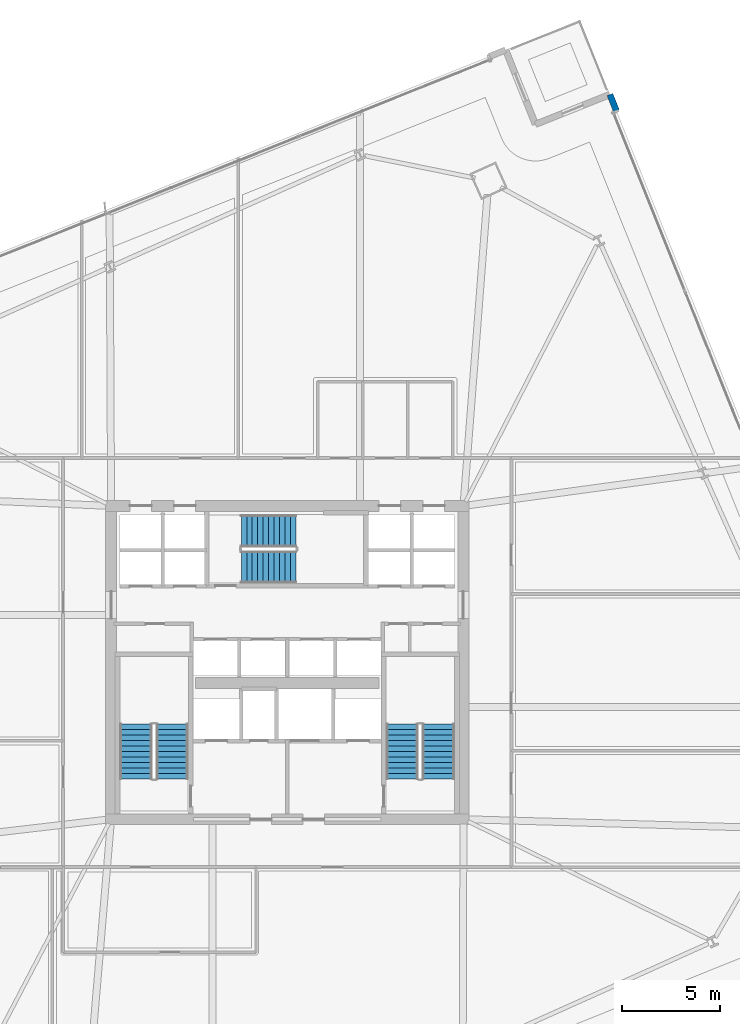
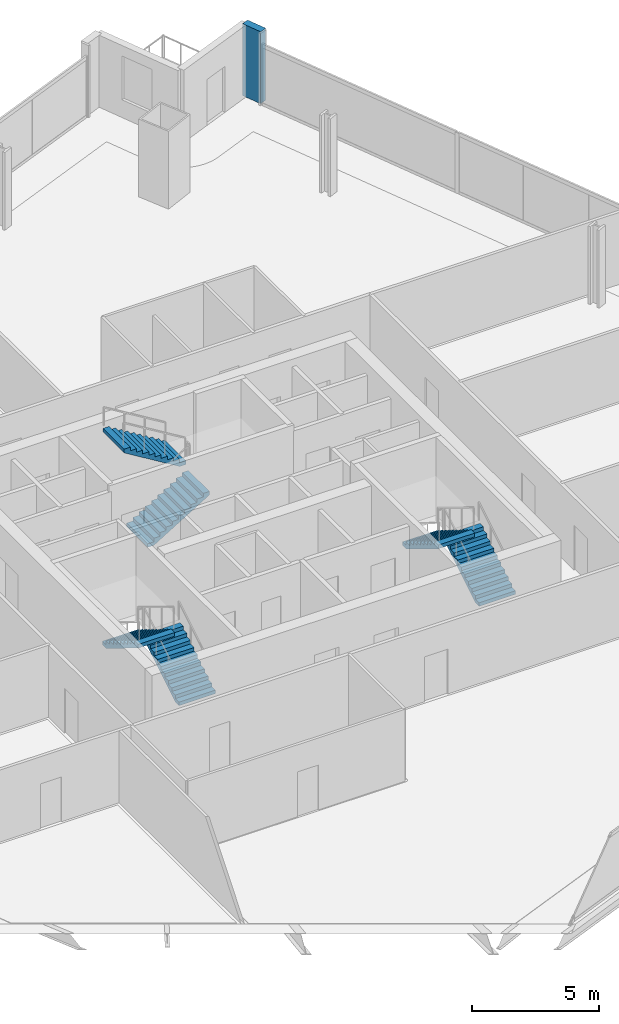
# One storey, part 27 of 33: 6 stair flights, 1 wall, 3 elements without a shape of their own.
"""IFC4 building model written with IfcOpenShell, lengths in metres."""

import ifcopenshell
import ifcopenshell.guid

model = None  # the IFC model being written
_history = None  # IfcOwnerHistory: only IFC2X3 demands one
_inside = {}  # id of a spatial element -> (the spatial element, [elements in it])
_under = {}  # id of a project, library or spatial element -> (it, [spatial elements below it])
_declared = {}  # id of a project -> (the project, [libraries it declares])
_typed = {}  # id of a type object -> (the type object, [elements of that type])
_made_of = {}  # id of a material, layer set ... -> (it, [elements and type objects made of it])


def new_model(schema):
    """Start an empty IFC model of exactly this schema.

    Asked for "IFC4X3", IfcOpenShell would pick the latest addendum, in which some entities
    have other attributes; the version numbers below select the first issue.
    IFC2X3 requires an IfcOwnerHistory on every rooted entity: one is made here for all.
    """
    global model, _history
    if schema == "IFC4X3":
        model = ifcopenshell.file(schema_version=(4, 3, 0, 0))
    else:
        model = ifcopenshell.file(schema=schema)
    _inside.clear()
    _under.clear()
    _declared.clear()
    _typed.clear()
    _made_of.clear()
    _history = None
    if model.schema == "IFC2X3":
        org = make("IfcOrganization", Name="unknown")
        user = make(
            "IfcPersonAndOrganization",
            ThePerson=make("IfcPerson", FamilyName="unknown"),
            TheOrganization=org,
        )
        app = make(
            "IfcApplication",
            ApplicationDeveloper=org,
            Version="unknown",
            ApplicationFullName="unknown",
            ApplicationIdentifier="unknown",
        )
        _history = make(
            "IfcOwnerHistory",
            OwningUser=user,
            OwningApplication=app,
            ChangeAction="ADDED",
            CreationDate=0,
        )
    return model


def make(cls, **values):
    """One entity of the class cls with the attributes given. An attribute that is None is left unset."""
    return model.create_entity(
        cls, **{name: value for name, value in values.items() if value is not None}
    )


def rooted(cls, **values):
    """An entity with a GlobalId (a new one), such as an element, a storey or a relation."""
    return make(cls, GlobalId=ifcopenshell.guid.new(), OwnerHistory=_history, **values)


def si_unit(unit_type, name, prefix=None):
    """IfcSIUnit, for example si_unit("LENGTHUNIT", "METRE", prefix="MILLI")."""
    return make("IfcSIUnit", UnitType=unit_type, Prefix=prefix, Name=name)


def assignment(units):
    """IfcUnitAssignment: the units of a project."""
    return None if units is None else make("IfcUnitAssignment", Units=units)


def point(xyz):
    """IfcCartesianPoint."""
    return None if xyz is None else make("IfcCartesianPoint", Coordinates=xyz)


def direction(xyz):
    """IfcDirection."""
    return None if xyz is None else make("IfcDirection", DirectionRatios=xyz)


def frame(location, z_axis=None, x_axis=None):
    """IfcAxis2Placement3D, a coordinate frame: its origin and axes. An axis left out is left unset."""
    return make(
        "IfcAxis2Placement3D",
        Location=point(location),
        Axis=direction(z_axis),
        RefDirection=direction(x_axis),
    )


def frame_2d(location, x_axis=None):
    """IfcAxis2Placement2D, a coordinate frame in the plane: its origin and x axis."""
    return make(
        "IfcAxis2Placement2D", Location=point(location), RefDirection=direction(x_axis)
    )


def origin():
    """The frame at (0, 0, 0) with its axes left unset."""
    return frame((0.0, 0.0, 0.0))


def place(relative_to, where):
    """IfcLocalPlacement: puts the frame where relative to a parent placement (None: the world)."""
    return make(
        "IfcLocalPlacement", PlacementRelTo=relative_to, RelativePlacement=where
    )


def context(
    kind, dimensions, precision=None, world=None, true_north=None, identifier=None
):
    """IfcGeometricRepresentationContext, for example the 3D "Model" context."""
    return make(
        "IfcGeometricRepresentationContext",
        ContextIdentifier=identifier,
        ContextType=kind,
        CoordinateSpaceDimension=dimensions,
        Precision=precision,
        WorldCoordinateSystem=world,
        TrueNorth=true_north,
    )


def subcontext(parent, identifier, kind, view, scale=None):
    """IfcGeometricRepresentationSubContext, for example "Body" below "Model"."""
    return make(
        "IfcGeometricRepresentationSubContext",
        ContextIdentifier=identifier,
        ContextType=kind,
        ParentContext=parent,
        TargetScale=scale,
        TargetView=view,
    )


def project(units=None, contexts=None):
    """IfcProject with its units and contexts."""
    return rooted(
        "IfcProject",
        Name="project",
        RepresentationContexts=contexts,
        UnitsInContext=assignment(units),
    )


def spatial(cls, under=None, at=None, **own):
    """A site, building, storey or space (cls), placed at a placement, below another one or the project."""
    s = rooted(cls, ObjectPlacement=at, **own)
    if under is not None:
        _under.setdefault(under.id(), (under, []))[1].append(s)
    return s


def polyline(points):
    """IfcPolyline through the points."""
    return make("IfcPolyline", Points=[point(p) for p in points])


def profile(cls, at=None, kind="AREA", **sizes):
    """A parametric profile (cls). Its sizes go by their IFC names, for example OverallWidth=200.0."""
    return make(cls, ProfileType=kind, Position=at, **sizes)


def rectangle(**sizes):
    """IfcRectangleProfileDef."""
    return profile("IfcRectangleProfileDef", **sizes)


def outline(outer, holes=None, kind="AREA"):
    """IfcArbitraryClosedProfileDef: a profile drawn as a closed curve; with holes, ...WithVoids."""
    if holes is None:
        return make("IfcArbitraryClosedProfileDef", ProfileType=kind, OuterCurve=outer)
    return make(
        "IfcArbitraryProfileDefWithVoids",
        ProfileType=kind,
        OuterCurve=outer,
        InnerCurves=holes,
    )


def extrude(swept, where, along, depth):
    """IfcExtrudedAreaSolid: the profile swept, set in the frame where, extruded along a direction by depth."""
    return make(
        "IfcExtrudedAreaSolid",
        SweptArea=swept,
        Position=where,
        ExtrudedDirection=direction(along),
        Depth=depth,
    )


def shape(context_of_items, identifier, shape_type, items):
    """IfcShapeRepresentation: the items that make up one representation, for example the "Body"."""
    return make(
        "IfcShapeRepresentation",
        ContextOfItems=context_of_items,
        RepresentationIdentifier=identifier,
        RepresentationType=shape_type,
        Items=items,
    )


def material(Name=None, Category=None):
    """IfcMaterial."""
    return make("IfcMaterial", Name=Name, Category=Category)


def layer(
    of_material, thickness, ventilated=None, Name=None, Category=None, Priority=None
):
    """IfcMaterialLayer: one layer of a wall or slab, of a material (None: an air gap)."""
    return make(
        "IfcMaterialLayer",
        Material=of_material,
        LayerThickness=thickness,
        IsVentilated=ventilated,
        Name=Name,
        Category=Category,
        Priority=Priority,
    )


def layer_set(layers, Name=None):
    """IfcMaterialLayerSet."""
    return make("IfcMaterialLayerSet", MaterialLayers=layers, LayerSetName=Name)


def made_of(thing, what):
    """Note that an element or type object is made of a material, layer set ...; save() writes the relation."""
    if what is not None:
        _made_of.setdefault(what.id(), (what, []))[1].append(thing)
    return thing


def type_object(cls, material=None, **own):
    """A type object (cls), such as IfcWallType, which elements share."""
    return made_of(rooted(cls, **own), material)


def element(
    cls,
    number,
    at=None,
    inside=None,
    cuts=None,
    type_object=None,
    material=None,
    context=None,
    identifier="Body",
    shape_type=None,
    held_by="IfcProductDefinitionShape",
    body=None,
    shapes=None,
    **own,
):
    """One element of the class cls, such as IfcWall. Its Tag is "e" and its number.

    at: its placement. inside: the storey or other place that contains it. cuts: it is an
    opening in that element (IfcRelVoidsElement). A single representation is given by context,
    identifier, shape_type and body (its items); several are given by shapes. held_by: the class
    of the entity that holds the representations. save() writes the other relations.
    """
    e = rooted(cls, Tag="e%d" % number, ObjectPlacement=at, **own)
    if body is not None:
        shapes = [shape(context, identifier, shape_type, body)]
    if shapes is not None:
        e.Representation = make(held_by, Representations=shapes)
    if inside is not None:
        _inside.setdefault(inside.id(), (inside, []))[1].append(e)
    if cuts is not None:
        rooted(
            "IfcRelVoidsElement", RelatingBuildingElement=cuts, RelatedOpeningElement=e
        )
    if type_object is not None:
        _typed.setdefault(type_object.id(), (type_object, []))[1].append(e)
    return made_of(e, material)


def aggregate(whole, parts):
    """IfcRelAggregates: a whole, such as a stair, and the parts it consists of."""
    return rooted("IfcRelAggregates", RelatingObject=whole, RelatedObjects=parts)


def save(model, path):
    """Write the relations noted so far, then the file.

    IfcRelAggregates (storeys below a building ...), IfcRelContainedInSpatialStructure (elements
    in a storey), IfcRelDefinesByType, IfcRelAssociatesMaterial and IfcRelDeclares: one each for
    every whole, place, type object, material and project.
    """
    for whole, parts in _under.values():
        aggregate(whole, parts)
    for where, things in _inside.values():
        rooted(
            "IfcRelContainedInSpatialStructure",
            RelatedElements=things,
            RelatingStructure=where,
        )
    for kind, things in _typed.values():
        rooted("IfcRelDefinesByType", RelatedObjects=things, RelatingType=kind)
    for what, things in _made_of.values():
        rooted("IfcRelAssociatesMaterial", RelatedObjects=things, RelatingMaterial=what)
    for by, libraries in _declared.values():
        rooted("IfcRelDeclares", RelatingContext=by, RelatedDefinitions=libraries)
    model.write(path)


model = new_model("IFC4")

# Units and contexts
model_context = context("Model", 3, precision=1e-05, world=origin(), true_north=direction((0.0, 1.0)))
body_context = subcontext(model_context, "Body", "Model", "MODEL_VIEW")
ifc_project = project(units=[si_unit("LENGTHUNIT", "METRE"), si_unit("AREAUNIT", "SQUARE_METRE"), si_unit("VOLUMEUNIT", "CUBIC_METRE"), si_unit("PLANEANGLEUNIT", "RADIAN"), si_unit("MASSUNIT", "GRAM", prefix="KILO")], contexts=[model_context])

# Site, building, storey
site_placement = place(None, origin())
site = spatial("IfcSite", under=ifc_project, at=site_placement, CompositionType="ELEMENT")
building_placement = place(site_placement, origin())
building = spatial("IfcBuilding", under=site, at=building_placement, Name="Haldenkirk Collegiate Tower", CompositionType="ELEMENT")
storey_placement = place(building_placement, frame((0.0, 0.0, 101.699951171875)))
storey = spatial("IfcBuildingStorey", under=building, at=storey_placement, Name="L24", CompositionType="ELEMENT", Elevation=101.699951171875)

# Wall
ifc_material_1 = material(Name="Precast concrete f'c 40 MPa", Category="concrete")
ifc_layer = layer(ifc_material_1, 0.320068359375)
ifc_layer_set = layer_set([ifc_layer], Name="Precast concrete f'c 40 MPa")
wall_type = type_object("IfcWallType", Name="WL-EXT-TWR-320", PredefinedType="STANDARD", material=ifc_layer_set)
wall_placement = place(storey_placement, frame((52.483642578125, 55.01953125, 0.0), z_axis=(0.0, 0.0, 1.0), x_axis=(0.372232509314, -0.928139514841, 0.0)))
element("IfcWall", 1, at=wall_placement, inside=storey, type_object=wall_type, Name="L24 precast corner pier EL", PredefinedType="STANDARD", context=body_context, shape_type="SweptSolid", body=[
    extrude(rectangle(XDim=0.89990234375, YDim=0.320068359375, at=frame_2d((0.449951171875, 0.0))), origin(), (0.0, 0.0, 1.0), 3.449951171875),
])

# Stair, stair flights
ifc_material_2 = material(Name="Concrete f'c 40 MPa", Category="concrete")
stair_type = type_object("IfcStairType", Name="STR-DOGLEG-1650", PredefinedType="HALF_TURN_STAIR", material=ifc_material_2)
stair_1_placement = place(storey_placement, origin())
stair_1 = element("IfcStair", 2, at=stair_1_placement, inside=storey, type_object=stair_type, Name="L24 Core Exit Stair ST-1", PredefinedType="HALF_TURN_STAIR")
stair_flight_type = type_object("IfcStairFlightType", Name="STF-FLIGHT-1650", PredefinedType="STRAIGHT", material=ifc_material_2)
stair_flight_1_placement = place(storey_placement, frame((30.125, 20.050048828125, 0.0), z_axis=(0.0, 0.0, 1.0), x_axis=(0.0, 1.0, 0.0)))
stair_flight_1 = element("IfcStairFlight", 3, at=stair_flight_1_placement, type_object=stair_flight_type, Name="ST-1 flight 1", NumberOfRisers=11, NumberOfTreads=10, PredefinedType="STRAIGHT", RiserHeight=0.170454545, TreadLength=0.28, context=body_context, shape_type="SweptSolid", body=[
    extrude(outline(polyline([(0.0, 0.0), (0.0, 0.17041015625), (0.280029296875, 0.17041015625), (0.280029296875, 0.3408203125), (0.56005859375, 0.3408203125), (0.56005859375, 0.511474609375), (0.840087890625, 0.511474609375), (0.840087890625, 0.681884765625), (1.1201171875, 0.681884765625), (1.1201171875, 0.852294921875), (1.39990234375, 0.852294921875), (1.39990234375, 1.022705078125), (1.679931640625, 1.022705078125), (1.679931640625, 1.193115234375), (1.9599609375, 1.193115234375), (1.9599609375, 1.363525390625), (2.239990234375, 1.363525390625), (2.239990234375, 1.5341796875), (2.52001953125, 1.5341796875), (2.52001953125, 1.70458984375), (2.800048828125, 1.70458984375), (2.800048828125, 1.875), (2.800048828125, 1.529052734375), (0.288330078125, 0.0), (0.0, 0.0)])), frame((0.0, 0.824951171875, 0.0), z_axis=(0.0, -1.0, 0.0), x_axis=(1.0, 0.0, 0.0)), (0.0, 0.0, 1.0), 1.64990234375),
])
stair_flight_2_placement = place(storey_placement, frame((28.27490234375, 22.85009765625, 1.875), z_axis=(0.0, 0.0, 1.0), x_axis=(0.0, -1.0, 0.0)))
stair_flight_2 = element("IfcStairFlight", 4, at=stair_flight_2_placement, type_object=stair_flight_type, Name="ST-1 flight 2", NumberOfRisers=11, NumberOfTreads=10, PredefinedType="STRAIGHT", RiserHeight=0.170454545, TreadLength=0.28, context=body_context, shape_type="SweptSolid", body=[
    extrude(outline(polyline([(0.0, 0.0), (0.0, 0.17041015625), (0.280029296875, 0.17041015625), (0.280029296875, 0.3408203125), (0.56005859375, 0.3408203125), (0.56005859375, 0.511474609375), (0.840087890625, 0.511474609375), (0.840087890625, 0.681884765625), (1.1201171875, 0.681884765625), (1.1201171875, 0.852294921875), (1.39990234375, 0.852294921875), (1.39990234375, 1.022705078125), (1.679931640625, 1.022705078125), (1.679931640625, 1.193115234375), (1.9599609375, 1.193115234375), (1.9599609375, 1.363525390625), (2.239990234375, 1.363525390625), (2.239990234375, 1.5341796875), (2.52001953125, 1.5341796875), (2.52001953125, 1.70458984375), (2.800048828125, 1.70458984375), (2.800048828125, 1.875), (2.800048828125, 1.529052734375), (0.288330078125, 0.0), (0.0, 0.0)])), frame((0.0, 0.824951171875, 0.0), z_axis=(0.0, -1.0, 0.0), x_axis=(1.0, 0.0, 0.0)), (0.0, 0.0, 1.0), 1.64990234375),
])
aggregate(stair_1, [stair_flight_1, stair_flight_2])

stair_2_placement = place(storey_placement, origin())
stair_2 = element("IfcStair", 5, at=stair_2_placement, inside=storey, type_object=stair_type, Name="L24 Core Exit Stair ST-2", PredefinedType="HALF_TURN_STAIR")
stair_flight_3_placement = place(storey_placement, frame((43.72509765625, 20.050048828125, 0.0), z_axis=(0.0, 0.0, 1.0), x_axis=(0.0, 1.0, 0.0)))
stair_flight_3 = element("IfcStairFlight", 6, at=stair_flight_3_placement, type_object=stair_flight_type, Name="ST-2 flight 1", NumberOfRisers=11, NumberOfTreads=10, PredefinedType="STRAIGHT", RiserHeight=0.170454545, TreadLength=0.28, context=body_context, shape_type="SweptSolid", body=[
    extrude(outline(polyline([(0.0, 0.0), (0.0, 0.17041015625), (0.280029296875, 0.17041015625), (0.280029296875, 0.3408203125), (0.56005859375, 0.3408203125), (0.56005859375, 0.511474609375), (0.840087890625, 0.511474609375), (0.840087890625, 0.681884765625), (1.1201171875, 0.681884765625), (1.1201171875, 0.852294921875), (1.39990234375, 0.852294921875), (1.39990234375, 1.022705078125), (1.679931640625, 1.022705078125), (1.679931640625, 1.193115234375), (1.9599609375, 1.193115234375), (1.9599609375, 1.363525390625), (2.239990234375, 1.363525390625), (2.239990234375, 1.5341796875), (2.52001953125, 1.5341796875), (2.52001953125, 1.70458984375), (2.800048828125, 1.70458984375), (2.800048828125, 1.875), (2.800048828125, 1.529052734375), (0.288330078125, 0.0), (0.0, 0.0)])), frame((0.0, 0.824951171875, 0.0), z_axis=(0.0, -1.0, 0.0), x_axis=(1.0, 0.0, 0.0)), (0.0, 0.0, 1.0), 1.64990234375),
])
stair_flight_4_placement = place(storey_placement, frame((41.875, 22.85009765625, 1.875), z_axis=(0.0, 0.0, 1.0), x_axis=(0.0, -1.0, 0.0)))
stair_flight_4 = element("IfcStairFlight", 7, at=stair_flight_4_placement, type_object=stair_flight_type, Name="ST-2 flight 2", NumberOfRisers=11, NumberOfTreads=10, PredefinedType="STRAIGHT", RiserHeight=0.170454545, TreadLength=0.28, context=body_context, shape_type="SweptSolid", body=[
    extrude(outline(polyline([(0.0, 0.0), (0.0, 0.17041015625), (0.280029296875, 0.17041015625), (0.280029296875, 0.3408203125), (0.56005859375, 0.3408203125), (0.56005859375, 0.511474609375), (0.840087890625, 0.511474609375), (0.840087890625, 0.681884765625), (1.1201171875, 0.681884765625), (1.1201171875, 0.852294921875), (1.39990234375, 0.852294921875), (1.39990234375, 1.022705078125), (1.679931640625, 1.022705078125), (1.679931640625, 1.193115234375), (1.9599609375, 1.193115234375), (1.9599609375, 1.363525390625), (2.239990234375, 1.363525390625), (2.239990234375, 1.5341796875), (2.52001953125, 1.5341796875), (2.52001953125, 1.70458984375), (2.800048828125, 1.70458984375), (2.800048828125, 1.875), (2.800048828125, 1.529052734375), (0.288330078125, 0.0), (0.0, 0.0)])), frame((0.0, 0.824951171875, 0.0), z_axis=(0.0, -1.0, 0.0), x_axis=(1.0, 0.0, 0.0)), (0.0, 0.0, 1.0), 1.64990234375),
])
aggregate(stair_2, [stair_flight_3, stair_flight_4])

stair_3_placement = place(storey_placement, origin())
stair_3 = element("IfcStair", 8, at=stair_3_placement, inside=storey, type_object=stair_type, Name="L24 Core Exit Stair ST-3", PredefinedType="HALF_TURN_STAIR")
stair_flight_5_placement = place(storey_placement, frame((33.64990234375, 30.875, 0.0), z_axis=(0.0, 0.0, 1.0), x_axis=(1.0, 0.0, 0.0)))
stair_flight_5 = element("IfcStairFlight", 9, at=stair_flight_5_placement, type_object=stair_flight_type, Name="ST-3 flight 1", NumberOfRisers=11, NumberOfTreads=10, PredefinedType="STRAIGHT", RiserHeight=0.170454545, TreadLength=0.28, context=body_context, shape_type="SweptSolid", body=[
    extrude(outline(polyline([(0.0, 0.0), (0.0, 0.17041015625), (0.280029296875, 0.17041015625), (0.280029296875, 0.3408203125), (0.56005859375, 0.3408203125), (0.56005859375, 0.511474609375), (0.840087890625, 0.511474609375), (0.840087890625, 0.681884765625), (1.1201171875, 0.681884765625), (1.1201171875, 0.852294921875), (1.39990234375, 0.852294921875), (1.39990234375, 1.022705078125), (1.679931640625, 1.022705078125), (1.679931640625, 1.193115234375), (1.9599609375, 1.193115234375), (1.9599609375, 1.363525390625), (2.239990234375, 1.363525390625), (2.239990234375, 1.5341796875), (2.52001953125, 1.5341796875), (2.52001953125, 1.70458984375), (2.800048828125, 1.70458984375), (2.800048828125, 1.875), (2.800048828125, 1.529052734375), (0.288330078125, 0.0), (0.0, 0.0)])), frame((0.0, 0.824951171875, 0.0), z_axis=(0.0, -1.0, 0.0), x_axis=(1.0, 0.0, 0.0)), (0.0, 0.0, 1.0), 1.64990234375),
])
stair_flight_6_placement = place(storey_placement, frame((36.449951171875, 32.72509765625, 1.875), z_axis=(0.0, 0.0, 1.0), x_axis=(-1.0, 0.0, 0.0)))
stair_flight_6 = element("IfcStairFlight", 10, at=stair_flight_6_placement, type_object=stair_flight_type, Name="ST-3 flight 2", NumberOfRisers=11, NumberOfTreads=10, PredefinedType="STRAIGHT", RiserHeight=0.170454545, TreadLength=0.28, context=body_context, shape_type="SweptSolid", body=[
    extrude(outline(polyline([(0.0, 0.0), (0.0, 0.17041015625), (0.280029296875, 0.17041015625), (0.280029296875, 0.3408203125), (0.56005859375, 0.3408203125), (0.56005859375, 0.511474609375), (0.840087890625, 0.511474609375), (0.840087890625, 0.681884765625), (1.1201171875, 0.681884765625), (1.1201171875, 0.852294921875), (1.39990234375, 0.852294921875), (1.39990234375, 1.022705078125), (1.679931640625, 1.022705078125), (1.679931640625, 1.193115234375), (1.9599609375, 1.193115234375), (1.9599609375, 1.363525390625), (2.239990234375, 1.363525390625), (2.239990234375, 1.5341796875), (2.52001953125, 1.5341796875), (2.52001953125, 1.70458984375), (2.800048828125, 1.70458984375), (2.800048828125, 1.875), (2.800048828125, 1.529052734375), (0.288330078125, 0.0), (0.0, 0.0)])), frame((0.0, 0.824951171875, 0.0), z_axis=(0.0, -1.0, 0.0), x_axis=(1.0, 0.0, 0.0)), (0.0, 0.0, 1.0), 1.64990234375),
])
aggregate(stair_3, [stair_flight_5, stair_flight_6])

save(model, "model.ifc")
